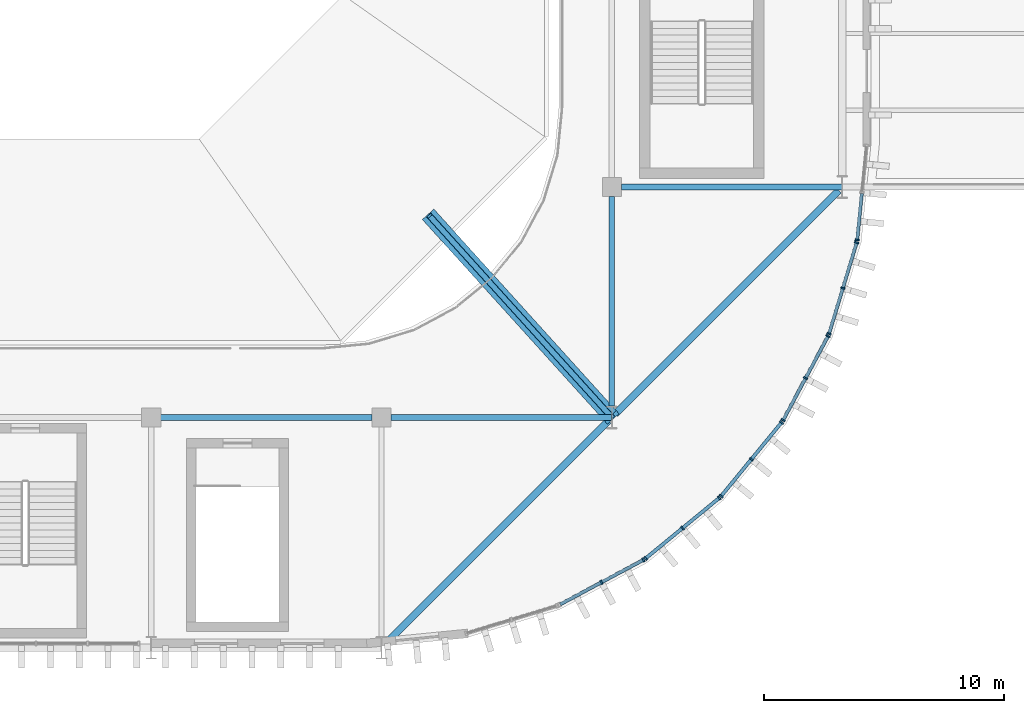
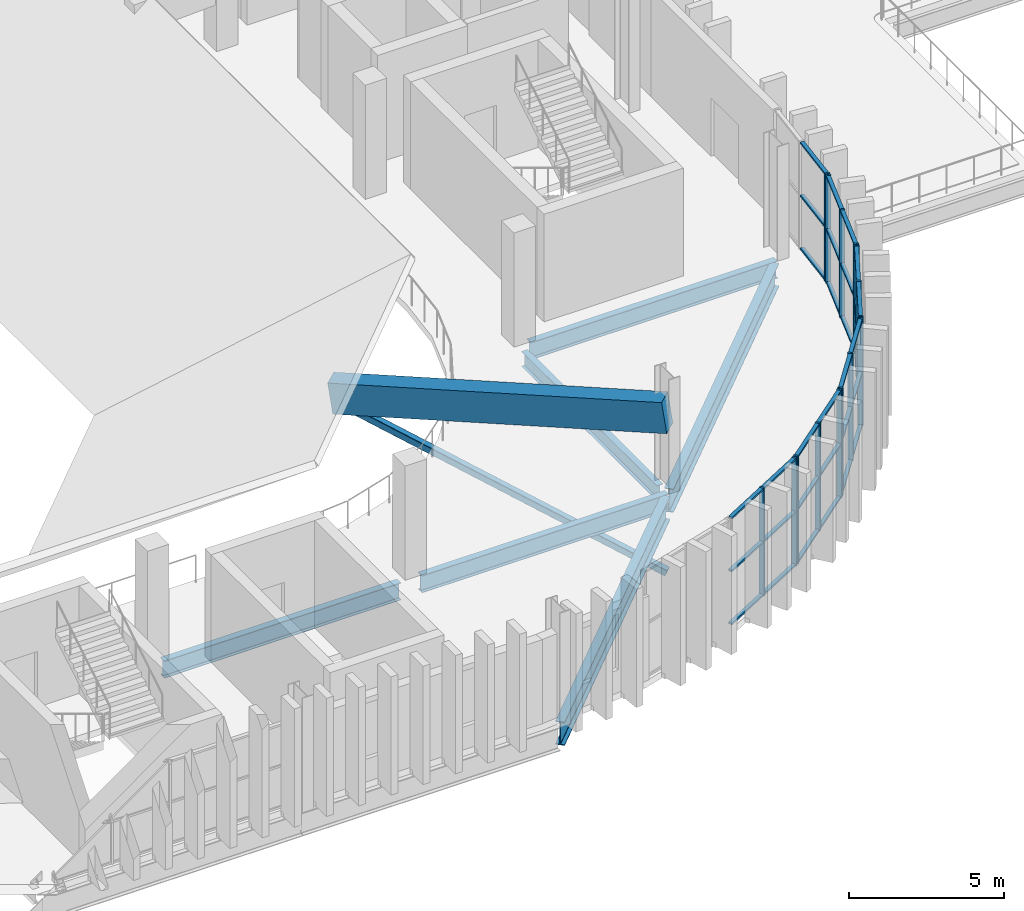
# One storey, part 20 of 69: 49 members, 7 beams, 6 elements without a shape of their own.
"""IFC4 building model written with IfcOpenShell, lengths in metres."""

from ifc_helpers import new_model, si_unit, direction, frame, origin, origin_2d, place, context, subcontext, project, spatial, rectangle, hollow_rectangle, i_section, extrude, material, layer, layer_set, material_profile, profile_set, type_object, element, aggregate, save


model = new_model("IFC4")

# Units and contexts
model_context = context("Model", 3, precision=1e-05, world=origin(), true_north=direction((0.0, 1.0)))
body_context = subcontext(model_context, "Body", "Model", "MODEL_VIEW")
ifc_project = project(units=[si_unit("LENGTHUNIT", "METRE"), si_unit("AREAUNIT", "SQUARE_METRE"), si_unit("VOLUMEUNIT", "CUBIC_METRE"), si_unit("PLANEANGLEUNIT", "RADIAN"), si_unit("MASSUNIT", "GRAM", prefix="KILO")], contexts=[model_context])

# Site, building, storey
site_placement = place(None, origin())
site = spatial("IfcSite", under=ifc_project, at=site_placement, CompositionType="ELEMENT")
building_placement = place(site_placement, origin())
building = spatial("IfcBuilding", under=site, at=building_placement, Name="Caelomonte Colonnade Arena", CompositionType="ELEMENT")
storey_placement = place(building_placement, frame((0.0, 0.0, 18.60009765625)))
storey = spatial("IfcBuildingStorey", under=building, at=storey_placement, Name="L04", CompositionType="ELEMENT", Elevation=18.60009765625)

# Curtain wall, members
ifc_material_1 = material(Name="Bronze anodised aluminium and low-E glazing", Category="aluminium")
ifc_layer = layer(ifc_material_1, 0.179931640625)
ifc_layer_set = layer_set([ifc_layer], Name="Bronze anodised aluminium and low-E glazing")
curtain_wall_type = type_object("IfcCurtainWallType", Name="ENV-CW-CW-L04-44-42", PredefinedType="USERDEFINED", material=ifc_layer_set)
curtain_wall_1_placement = place(storey_placement, origin())
curtain_wall_1 = element("IfcCurtainWall", 1, at=curtain_wall_1_placement, inside=storey, type_object=curtain_wall_type, Name="L04 unitized curtain wall CW-L04-1532-0219", ObjectType="UNITIZED CURTAIN WALL", PredefinedType="USERDEFINED")
ifc_material_2 = material(Name="Bronze anodised aluminium AA6063-T6", Category="aluminium")
ifc_material_profile_1 = material_profile(ifc_material_2, rectangle(XDim=0.070068359375, YDim=0.179931640625, at=origin_2d()), Name="CWM-70X180")
ifc_profile_set_1 = profile_set([ifc_material_profile_1], Name="Bronze anodised aluminium AA6063-T6")
member_type_1 = type_object("IfcMemberType", Name="ENV-CW-MULL1", PredefinedType="MULLION", material=ifc_profile_set_1)
member_1_placement = place(storey_placement, frame((153.166748046875, 21.927490234375, 0.0), z_axis=(0.0, 0.0, 1.0), x_axis=(0.881922613642, 0.471394212466, 0.0)))
member_1 = element("IfcMember", 2, at=member_1_placement, type_object=member_type_1, Name="CW-L04-44-42 mullion 2", PredefinedType="MULLION", context=body_context, shape_type="SweptSolid", body=[
    extrude(rectangle(XDim=0.070068359375, YDim=0.179931640625, at=origin_2d()), origin(), (0.0, 0.0, 1.0), 4.239990234375),
])
member_2_placement = place(storey_placement, frame((154.916015625, 22.862548828125, 0.0), z_axis=(0.0, 0.0, 1.0), x_axis=(0.881922613642, 0.471394212466, 0.0)))
member_2 = element("IfcMember", 3, at=member_2_placement, type_object=member_type_1, Name="CW-L04-44-42 mullion 3", PredefinedType="MULLION", context=body_context, shape_type="SweptSolid", body=[
    extrude(rectangle(XDim=0.070068359375, YDim=0.179931640625, at=origin_2d()), origin(), (0.0, 0.0, 1.0), 4.239990234375),
])

curtain_wall_2_placement = place(storey_placement, origin())
curtain_wall_2 = element("IfcCurtainWall", 4, at=curtain_wall_2_placement, inside=storey, type_object=curtain_wall_type, Name="L04 unitized curtain wall CW-L04-1565-0242", ObjectType="UNITIZED CURTAIN WALL", PredefinedType="USERDEFINED")
member_3_placement = place(storey_placement, frame((155.0107421875, 22.92578125, 0.0), z_axis=(0.0, 0.0, 1.0), x_axis=(0.772991751994, 0.634416071163, 0.0)))
member_3 = element("IfcMember", 5, at=member_3_placement, type_object=member_type_1, Name="CW-L04-44-42 mullion 1", PredefinedType="MULLION", context=body_context, shape_type="SweptSolid", body=[
    extrude(rectangle(XDim=0.070068359375, YDim=0.179931640625, at=origin_2d()), origin(), (0.0, 0.0, 1.0), 4.239990234375),
])
member_4_placement = place(storey_placement, frame((156.5439453125, 24.18408203125, 0.0), z_axis=(0.0, 0.0, 1.0), x_axis=(0.772991751994, 0.634416071163, 0.0)))
member_4 = element("IfcMember", 6, at=member_4_placement, type_object=member_type_1, Name="CW-L04-44-42 mullion 2", PredefinedType="MULLION", context=body_context, shape_type="SweptSolid", body=[
    extrude(rectangle(XDim=0.070068359375, YDim=0.179931640625, at=origin_2d()), origin(), (0.0, 0.0, 1.0), 4.239990234375),
])
member_5_placement = place(storey_placement, frame((158.0771484375, 25.4423828125, 0.0), z_axis=(0.0, 0.0, 1.0), x_axis=(0.772991751994, 0.634416071163, 0.0)))
member_5 = element("IfcMember", 7, at=member_5_placement, type_object=member_type_1, Name="CW-L04-44-42 mullion 3", PredefinedType="MULLION", context=body_context, shape_type="SweptSolid", body=[
    extrude(rectangle(XDim=0.070068359375, YDim=0.179931640625, at=origin_2d()), origin(), (0.0, 0.0, 1.0), 4.239990234375),
])

curtain_wall_3_placement = place(storey_placement, origin())
curtain_wall_3 = element("IfcCurtainWall", 8, at=curtain_wall_3_placement, inside=storey, type_object=curtain_wall_type, Name="L04 unitized curtain wall CW-L04-1594-0271", ObjectType="UNITIZED CURTAIN WALL", PredefinedType="USERDEFINED")
member_6_placement = place(storey_placement, frame((158.15771484375, 25.52294921875, 0.0), z_axis=(0.0, 0.0, 1.0), x_axis=(0.634416071163, 0.772991751994, 0.0)))
member_6 = element("IfcMember", 9, at=member_6_placement, type_object=member_type_1, Name="CW-L04-44-42 mullion 1", PredefinedType="MULLION", context=body_context, shape_type="SweptSolid", body=[
    extrude(rectangle(XDim=0.070068359375, YDim=0.179931640625, at=origin_2d()), origin(), (0.0, 0.0, 1.0), 4.239990234375),
])
member_7_placement = place(storey_placement, frame((159.416015625, 27.05615234375, 0.0), z_axis=(0.0, 0.0, 1.0), x_axis=(0.634416071163, 0.772991751994, 0.0)))
member_7 = element("IfcMember", 10, at=member_7_placement, type_object=member_type_1, Name="CW-L04-44-42 mullion 2", PredefinedType="MULLION", context=body_context, shape_type="SweptSolid", body=[
    extrude(rectangle(XDim=0.070068359375, YDim=0.179931640625, at=origin_2d()), origin(), (0.0, 0.0, 1.0), 4.239990234375),
])
member_8_placement = place(storey_placement, frame((160.67431640625, 28.58935546875, 0.0), z_axis=(0.0, 0.0, 1.0), x_axis=(0.634416071163, 0.772991751994, 0.0)))
member_8 = element("IfcMember", 11, at=member_8_placement, type_object=member_type_1, Name="CW-L04-44-42 mullion 3", PredefinedType="MULLION", context=body_context, shape_type="SweptSolid", body=[
    extrude(rectangle(XDim=0.070068359375, YDim=0.179931640625, at=origin_2d()), origin(), (0.0, 0.0, 1.0), 4.239990234375),
])

curtain_wall_4_placement = place(storey_placement, origin())
curtain_wall_4 = element("IfcCurtainWall", 12, at=curtain_wall_4_placement, inside=storey, type_object=curtain_wall_type, Name="L04 unitized curtain wall CW-L04-1617-0304", ObjectType="UNITIZED CURTAIN WALL", PredefinedType="USERDEFINED")
member_9_placement = place(storey_placement, frame((160.737548828125, 28.68408203125, 0.0), z_axis=(0.0, 0.0, 1.0), x_axis=(0.471394212466, 0.881922613642, 0.0)))
member_9 = element("IfcMember", 13, at=member_9_placement, type_object=member_type_1, Name="CW-L04-44-42 mullion 1", PredefinedType="MULLION", context=body_context, shape_type="SweptSolid", body=[
    extrude(rectangle(XDim=0.070068359375, YDim=0.179931640625, at=origin_2d()), origin(), (0.0, 0.0, 1.0), 4.239990234375),
])
member_10_placement = place(storey_placement, frame((161.67236328125, 30.43310546875, 0.0), z_axis=(0.0, 0.0, 1.0), x_axis=(0.471394212466, 0.881922613642, 0.0)))
member_10 = element("IfcMember", 14, at=member_10_placement, type_object=member_type_1, Name="CW-L04-44-42 mullion 2", PredefinedType="MULLION", context=body_context, shape_type="SweptSolid", body=[
    extrude(rectangle(XDim=0.070068359375, YDim=0.179931640625, at=origin_2d()), origin(), (0.0, 0.0, 1.0), 4.239990234375),
])
member_11_placement = place(storey_placement, frame((162.607421875, 32.182373046875, 0.0), z_axis=(0.0, 0.0, 1.0), x_axis=(0.471394212466, 0.881922613642, 0.0)))
member_11 = element("IfcMember", 15, at=member_11_placement, type_object=member_type_1, Name="CW-L04-44-42 mullion 3", PredefinedType="MULLION", context=body_context, shape_type="SweptSolid", body=[
    extrude(rectangle(XDim=0.070068359375, YDim=0.179931640625, at=origin_2d()), origin(), (0.0, 0.0, 1.0), 4.239990234375),
])

curtain_wall_5_placement = place(storey_placement, origin())
curtain_wall_5 = element("IfcCurtainWall", 16, at=curtain_wall_5_placement, inside=storey, type_object=curtain_wall_type, Name="L04 unitized curtain wall CW-L04-1632-0342", ObjectType="UNITIZED CURTAIN WALL", PredefinedType="USERDEFINED")
member_12_placement = place(storey_placement, frame((162.651123046875, 32.28759765625, 0.0), z_axis=(0.0, 0.0, 1.0), x_axis=(0.290255582655, 0.956949160999, 0.0)))
member_12 = element("IfcMember", 17, at=member_12_placement, type_object=member_type_1, Name="CW-L04-44-42 mullion 1", PredefinedType="MULLION", context=body_context, shape_type="SweptSolid", body=[
    extrude(rectangle(XDim=0.070068359375, YDim=0.179931640625, at=origin_2d()), origin(), (0.0, 0.0, 1.0), 4.239990234375),
])
member_13_placement = place(storey_placement, frame((163.226806640625, 34.185546875, 0.0), z_axis=(0.0, 0.0, 1.0), x_axis=(0.290255582655, 0.956949160999, 0.0)))
member_13 = element("IfcMember", 18, at=member_13_placement, type_object=member_type_1, Name="CW-L04-44-42 mullion 2", PredefinedType="MULLION", context=body_context, shape_type="SweptSolid", body=[
    extrude(rectangle(XDim=0.070068359375, YDim=0.179931640625, at=origin_2d()), origin(), (0.0, 0.0, 1.0), 4.239990234375),
])
member_14_placement = place(storey_placement, frame((163.802490234375, 36.08349609375, 0.0), z_axis=(0.0, 0.0, 1.0), x_axis=(0.290255582655, 0.956949160999, 0.0)))
member_14 = element("IfcMember", 19, at=member_14_placement, type_object=member_type_1, Name="CW-L04-44-42 mullion 3", PredefinedType="MULLION", context=body_context, shape_type="SweptSolid", body=[
    extrude(rectangle(XDim=0.070068359375, YDim=0.179931640625, at=origin_2d()), origin(), (0.0, 0.0, 1.0), 4.239990234375),
])

# Curtain wall, member
curtain_wall_6_placement = place(storey_placement, origin())
curtain_wall_6 = element("IfcCurtainWall", 20, at=curtain_wall_6_placement, inside=storey, type_object=curtain_wall_type, Name="L04 unitized curtain wall CW-L04-1640-0382", ObjectType="UNITIZED CURTAIN WALL", PredefinedType="USERDEFINED")
member_15_placement = place(storey_placement, frame((163.82470703125, 36.1953125, 0.0), z_axis=(0.0, 0.0, 1.0), x_axis=(0.098002498041, 0.995186168703, 0.0)))
member_15 = element("IfcMember", 21, at=member_15_placement, type_object=member_type_1, Name="CW-L04-44-42 mullion 1", PredefinedType="MULLION", context=body_context, shape_type="SweptSolid", body=[
    extrude(rectangle(XDim=0.070068359375, YDim=0.179931640625, at=origin_2d()), origin(), (0.0, 0.0, 1.0), 4.239990234375),
])

# Member
ifc_material_profile_2 = material_profile(ifc_material_2, rectangle(XDim=0.070068359375, YDim=0.139892578125, at=origin_2d()), Name="CWT-70X140")
ifc_profile_set_2 = profile_set([ifc_material_profile_2], Name="Bronze anodised aluminium AA6063-T6")
member_type_2 = type_object("IfcMemberType", Name="ENV-CW-TRAN1", PredefinedType="USERDEFINED", material=ifc_profile_set_2)
member_16_placement = place(storey_placement, frame((151.448486328125, 21.009033203125, 0.034912109375), z_axis=(0.881896914799, 0.471442288799, 0.0), x_axis=(0.0, 0.0, 1.0)))
member_16 = element("IfcMember", 22, at=member_16_placement, type_object=member_type_2, Name="CW-L04-44-42 transom 1.1", ObjectType="TRANSOM", PredefinedType="USERDEFINED", context=body_context, shape_type="SweptSolid", body=[
    extrude(rectangle(XDim=0.070068359375, YDim=0.139892578125, at=origin_2d()), origin(), (0.0, 0.0, 1.0), 1.91357421875),
])

member_17_placement = place(storey_placement, frame((151.448486328125, 21.009033203125, 2.119873046875), z_axis=(0.881896914799, 0.471442288799, 0.0), x_axis=(0.0, 0.0, 1.0)))
member_17 = element("IfcMember", 23, at=member_17_placement, type_object=member_type_2, Name="CW-L04-44-42 transom 1.2", ObjectType="TRANSOM", PredefinedType="USERDEFINED", context=body_context, shape_type="SweptSolid", body=[
    extrude(rectangle(XDim=0.070068359375, YDim=0.139892578125, at=origin_2d()), origin(), (0.0, 0.0, 1.0), 1.91357421875),
])

member_18_placement = place(storey_placement, frame((151.448486328125, 21.009033203125, 4.204833984375), z_axis=(0.881896914799, 0.471442288799, 0.0), x_axis=(0.0, 0.0, 1.0)))
member_18 = element("IfcMember", 24, at=member_18_placement, type_object=member_type_2, Name="CW-L04-44-42 transom 1.3", ObjectType="TRANSOM", PredefinedType="USERDEFINED", context=body_context, shape_type="SweptSolid", body=[
    extrude(rectangle(XDim=0.070068359375, YDim=0.139892578125, at=origin_2d()), origin(), (0.0, 0.0, 1.0), 1.91357421875),
])

member_19_placement = place(storey_placement, frame((153.19775390625, 21.944091796875, 0.034912109375), z_axis=(0.88194995936, 0.471343048304, 0.0), x_axis=(0.0, 0.0, 1.0)))
member_19 = element("IfcMember", 25, at=member_19_placement, type_object=member_type_2, Name="CW-L04-44-42 transom 2.1", ObjectType="TRANSOM", PredefinedType="USERDEFINED", context=body_context, shape_type="SweptSolid", body=[
    extrude(rectangle(XDim=0.070068359375, YDim=0.139892578125, at=origin_2d()), origin(), (0.0, 0.0, 1.0), 1.913330078125),
])

member_20_placement = place(storey_placement, frame((153.19775390625, 21.944091796875, 2.119873046875), z_axis=(0.88194995936, 0.471343048304, 0.0), x_axis=(0.0, 0.0, 1.0)))
member_20 = element("IfcMember", 26, at=member_20_placement, type_object=member_type_2, Name="CW-L04-44-42 transom 2.2", ObjectType="TRANSOM", PredefinedType="USERDEFINED", context=body_context, shape_type="SweptSolid", body=[
    extrude(rectangle(XDim=0.070068359375, YDim=0.139892578125, at=origin_2d()), origin(), (0.0, 0.0, 1.0), 1.913330078125),
])

member_21_placement = place(storey_placement, frame((153.19775390625, 21.944091796875, 4.204833984375), z_axis=(0.88194995936, 0.471343048304, 0.0), x_axis=(0.0, 0.0, 1.0)))
member_21 = element("IfcMember", 27, at=member_21_placement, type_object=member_type_2, Name="CW-L04-44-42 transom 2.3", ObjectType="TRANSOM", PredefinedType="USERDEFINED", context=body_context, shape_type="SweptSolid", body=[
    extrude(rectangle(XDim=0.070068359375, YDim=0.139892578125, at=origin_2d()), origin(), (0.0, 0.0, 1.0), 1.913330078125),
])

aggregate(curtain_wall_1, [member_1, member_2, member_16, member_17, member_18, member_19, member_20, member_21])

member_22_placement = place(storey_placement, frame((155.037841796875, 22.947998046875, 0.034912109375), z_axis=(0.772989936128, 0.634418283662, 0.0), x_axis=(0.0, 0.0, 1.0)))
member_22 = element("IfcMember", 28, at=member_22_placement, type_object=member_type_2, Name="CW-L04-44-42 transom 1.1", ObjectType="TRANSOM", PredefinedType="USERDEFINED", context=body_context, shape_type="SweptSolid", body=[
    extrude(rectangle(XDim=0.070068359375, YDim=0.139892578125, at=origin_2d()), origin(), (0.0, 0.0, 1.0), 1.913330078125),
])

member_23_placement = place(storey_placement, frame((155.037841796875, 22.947998046875, 2.119873046875), z_axis=(0.772989936128, 0.634418283662, 0.0), x_axis=(0.0, 0.0, 1.0)))
member_23 = element("IfcMember", 29, at=member_23_placement, type_object=member_type_2, Name="CW-L04-44-42 transom 1.2", ObjectType="TRANSOM", PredefinedType="USERDEFINED", context=body_context, shape_type="SweptSolid", body=[
    extrude(rectangle(XDim=0.070068359375, YDim=0.139892578125, at=origin_2d()), origin(), (0.0, 0.0, 1.0), 1.913330078125),
])

member_24_placement = place(storey_placement, frame((155.037841796875, 22.947998046875, 4.204833984375), z_axis=(0.772989936128, 0.634418283662, 0.0), x_axis=(0.0, 0.0, 1.0)))
member_24 = element("IfcMember", 30, at=member_24_placement, type_object=member_type_2, Name="CW-L04-44-42 transom 1.3", ObjectType="TRANSOM", PredefinedType="USERDEFINED", context=body_context, shape_type="SweptSolid", body=[
    extrude(rectangle(XDim=0.070068359375, YDim=0.139892578125, at=origin_2d()), origin(), (0.0, 0.0, 1.0), 1.913330078125),
])

member_25_placement = place(storey_placement, frame((156.571044921875, 24.206298828125, 0.034912109375), z_axis=(0.772989936128, 0.634418283662, 0.0), x_axis=(0.0, 0.0, 1.0)))
member_25 = element("IfcMember", 31, at=member_25_placement, type_object=member_type_2, Name="CW-L04-44-42 transom 2.1", ObjectType="TRANSOM", PredefinedType="USERDEFINED", context=body_context, shape_type="SweptSolid", body=[
    extrude(rectangle(XDim=0.070068359375, YDim=0.139892578125, at=origin_2d()), origin(), (0.0, 0.0, 1.0), 1.913330078125),
])

member_26_placement = place(storey_placement, frame((156.571044921875, 24.206298828125, 2.119873046875), z_axis=(0.772989936128, 0.634418283662, 0.0), x_axis=(0.0, 0.0, 1.0)))
member_26 = element("IfcMember", 32, at=member_26_placement, type_object=member_type_2, Name="CW-L04-44-42 transom 2.2", ObjectType="TRANSOM", PredefinedType="USERDEFINED", context=body_context, shape_type="SweptSolid", body=[
    extrude(rectangle(XDim=0.070068359375, YDim=0.139892578125, at=origin_2d()), origin(), (0.0, 0.0, 1.0), 1.913330078125),
])

member_27_placement = place(storey_placement, frame((156.571044921875, 24.206298828125, 4.204833984375), z_axis=(0.772989936128, 0.634418283662, 0.0), x_axis=(0.0, 0.0, 1.0)))
member_27 = element("IfcMember", 33, at=member_27_placement, type_object=member_type_2, Name="CW-L04-44-42 transom 2.3", ObjectType="TRANSOM", PredefinedType="USERDEFINED", context=body_context, shape_type="SweptSolid", body=[
    extrude(rectangle(XDim=0.070068359375, YDim=0.139892578125, at=origin_2d()), origin(), (0.0, 0.0, 1.0), 1.913330078125),
])

aggregate(curtain_wall_2, [member_3, member_4, member_5, member_22, member_23, member_24, member_25, member_26, member_27])

member_28_placement = place(storey_placement, frame((158.1796875, 25.550048828125, 0.034912109375), z_axis=(0.634494516049, 0.772927363407, 0.0), x_axis=(0.0, 0.0, 1.0)))
member_28 = element("IfcMember", 34, at=member_28_placement, type_object=member_type_2, Name="CW-L04-44-42 transom 1.1", ObjectType="TRANSOM", PredefinedType="USERDEFINED", context=body_context, shape_type="SweptSolid", body=[
    extrude(rectangle(XDim=0.070068359375, YDim=0.139892578125, at=origin_2d()), origin(), (0.0, 0.0, 1.0), 1.91357421875),
])

member_29_placement = place(storey_placement, frame((158.1796875, 25.550048828125, 2.119873046875), z_axis=(0.634494516049, 0.772927363407, 0.0), x_axis=(0.0, 0.0, 1.0)))
member_29 = element("IfcMember", 35, at=member_29_placement, type_object=member_type_2, Name="CW-L04-44-42 transom 1.2", ObjectType="TRANSOM", PredefinedType="USERDEFINED", context=body_context, shape_type="SweptSolid", body=[
    extrude(rectangle(XDim=0.070068359375, YDim=0.139892578125, at=origin_2d()), origin(), (0.0, 0.0, 1.0), 1.91357421875),
])

member_30_placement = place(storey_placement, frame((158.1796875, 25.550048828125, 4.204833984375), z_axis=(0.634494516049, 0.772927363407, 0.0), x_axis=(0.0, 0.0, 1.0)))
member_30 = element("IfcMember", 36, at=member_30_placement, type_object=member_type_2, Name="CW-L04-44-42 transom 1.3", ObjectType="TRANSOM", PredefinedType="USERDEFINED", context=body_context, shape_type="SweptSolid", body=[
    extrude(rectangle(XDim=0.070068359375, YDim=0.139892578125, at=origin_2d()), origin(), (0.0, 0.0, 1.0), 1.91357421875),
])

member_31_placement = place(storey_placement, frame((159.43798828125, 27.083251953125, 0.034912109375), z_axis=(0.634494516049, 0.772927363407, 0.0), x_axis=(0.0, 0.0, 1.0)))
member_31 = element("IfcMember", 37, at=member_31_placement, type_object=member_type_2, Name="CW-L04-44-42 transom 2.1", ObjectType="TRANSOM", PredefinedType="USERDEFINED", context=body_context, shape_type="SweptSolid", body=[
    extrude(rectangle(XDim=0.070068359375, YDim=0.139892578125, at=origin_2d()), origin(), (0.0, 0.0, 1.0), 1.91357421875),
])

member_32_placement = place(storey_placement, frame((159.43798828125, 27.083251953125, 2.119873046875), z_axis=(0.634494516049, 0.772927363407, 0.0), x_axis=(0.0, 0.0, 1.0)))
member_32 = element("IfcMember", 38, at=member_32_placement, type_object=member_type_2, Name="CW-L04-44-42 transom 2.2", ObjectType="TRANSOM", PredefinedType="USERDEFINED", context=body_context, shape_type="SweptSolid", body=[
    extrude(rectangle(XDim=0.070068359375, YDim=0.139892578125, at=origin_2d()), origin(), (0.0, 0.0, 1.0), 1.91357421875),
])

member_33_placement = place(storey_placement, frame((159.43798828125, 27.083251953125, 4.204833984375), z_axis=(0.634494516049, 0.772927363407, 0.0), x_axis=(0.0, 0.0, 1.0)))
member_33 = element("IfcMember", 39, at=member_33_placement, type_object=member_type_2, Name="CW-L04-44-42 transom 2.3", ObjectType="TRANSOM", PredefinedType="USERDEFINED", context=body_context, shape_type="SweptSolid", body=[
    extrude(rectangle(XDim=0.070068359375, YDim=0.139892578125, at=origin_2d()), origin(), (0.0, 0.0, 1.0), 1.91357421875),
])

aggregate(curtain_wall_3, [member_6, member_7, member_8, member_28, member_29, member_30, member_31, member_32, member_33])

member_34_placement = place(storey_placement, frame((160.75390625, 28.71484375, 0.034912109375), z_axis=(0.471442288799, 0.881896914799, 0.0), x_axis=(0.0, 0.0, 1.0)))
member_34 = element("IfcMember", 40, at=member_34_placement, type_object=member_type_2, Name="CW-L04-44-42 transom 1.1", ObjectType="TRANSOM", PredefinedType="USERDEFINED", context=body_context, shape_type="SweptSolid", body=[
    extrude(rectangle(XDim=0.070068359375, YDim=0.139892578125, at=origin_2d()), origin(), (0.0, 0.0, 1.0), 1.91357421875),
])

member_35_placement = place(storey_placement, frame((160.75390625, 28.71484375, 2.119873046875), z_axis=(0.471442288799, 0.881896914799, 0.0), x_axis=(0.0, 0.0, 1.0)))
member_35 = element("IfcMember", 41, at=member_35_placement, type_object=member_type_2, Name="CW-L04-44-42 transom 1.2", ObjectType="TRANSOM", PredefinedType="USERDEFINED", context=body_context, shape_type="SweptSolid", body=[
    extrude(rectangle(XDim=0.070068359375, YDim=0.139892578125, at=origin_2d()), origin(), (0.0, 0.0, 1.0), 1.91357421875),
])

member_36_placement = place(storey_placement, frame((160.75390625, 28.71484375, 4.204833984375), z_axis=(0.471442288799, 0.881896914799, 0.0), x_axis=(0.0, 0.0, 1.0)))
member_36 = element("IfcMember", 42, at=member_36_placement, type_object=member_type_2, Name="CW-L04-44-42 transom 1.3", ObjectType="TRANSOM", PredefinedType="USERDEFINED", context=body_context, shape_type="SweptSolid", body=[
    extrude(rectangle(XDim=0.070068359375, YDim=0.139892578125, at=origin_2d()), origin(), (0.0, 0.0, 1.0), 1.91357421875),
])

member_37_placement = place(storey_placement, frame((161.68896484375, 30.464111328125, 0.034912109375), z_axis=(0.471396095589, 0.881921607096, 0.0), x_axis=(0.0, 0.0, 1.0)))
member_37 = element("IfcMember", 43, at=member_37_placement, type_object=member_type_2, Name="CW-L04-44-42 transom 2.1", ObjectType="TRANSOM", PredefinedType="USERDEFINED", context=body_context, shape_type="SweptSolid", body=[
    extrude(rectangle(XDim=0.070068359375, YDim=0.139892578125, at=origin_2d()), origin(), (0.0, 0.0, 1.0), 1.9130859375),
])

member_38_placement = place(storey_placement, frame((161.68896484375, 30.464111328125, 2.119873046875), z_axis=(0.471396095589, 0.881921607096, 0.0), x_axis=(0.0, 0.0, 1.0)))
member_38 = element("IfcMember", 44, at=member_38_placement, type_object=member_type_2, Name="CW-L04-44-42 transom 2.2", ObjectType="TRANSOM", PredefinedType="USERDEFINED", context=body_context, shape_type="SweptSolid", body=[
    extrude(rectangle(XDim=0.070068359375, YDim=0.139892578125, at=origin_2d()), origin(), (0.0, 0.0, 1.0), 1.9130859375),
])

member_39_placement = place(storey_placement, frame((161.68896484375, 30.464111328125, 4.204833984375), z_axis=(0.471396095589, 0.881921607096, 0.0), x_axis=(0.0, 0.0, 1.0)))
member_39 = element("IfcMember", 45, at=member_39_placement, type_object=member_type_2, Name="CW-L04-44-42 transom 2.3", ObjectType="TRANSOM", PredefinedType="USERDEFINED", context=body_context, shape_type="SweptSolid", body=[
    extrude(rectangle(XDim=0.070068359375, YDim=0.139892578125, at=origin_2d()), origin(), (0.0, 0.0, 1.0), 1.9130859375),
])

aggregate(curtain_wall_4, [member_9, member_10, member_11, member_34, member_35, member_36, member_37, member_38, member_39])

member_40_placement = place(storey_placement, frame((162.6611328125, 32.321044921875, 0.034912109375), z_axis=(0.290272978297, 0.956943884494, 0.0), x_axis=(0.0, 0.0, 1.0)))
member_40 = element("IfcMember", 46, at=member_40_placement, type_object=member_type_2, Name="CW-L04-44-42 transom 1.1", ObjectType="TRANSOM", PredefinedType="USERDEFINED", context=body_context, shape_type="SweptSolid", body=[
    extrude(rectangle(XDim=0.070068359375, YDim=0.139892578125, at=origin_2d()), origin(), (0.0, 0.0, 1.0), 1.913330078125),
])

member_41_placement = place(storey_placement, frame((162.6611328125, 32.321044921875, 2.119873046875), z_axis=(0.290272978297, 0.956943884494, 0.0), x_axis=(0.0, 0.0, 1.0)))
member_41 = element("IfcMember", 47, at=member_41_placement, type_object=member_type_2, Name="CW-L04-44-42 transom 1.2", ObjectType="TRANSOM", PredefinedType="USERDEFINED", context=body_context, shape_type="SweptSolid", body=[
    extrude(rectangle(XDim=0.070068359375, YDim=0.139892578125, at=origin_2d()), origin(), (0.0, 0.0, 1.0), 1.913330078125),
])

member_42_placement = place(storey_placement, frame((162.6611328125, 32.321044921875, 4.204833984375), z_axis=(0.290272978297, 0.956943884494, 0.0), x_axis=(0.0, 0.0, 1.0)))
member_42 = element("IfcMember", 48, at=member_42_placement, type_object=member_type_2, Name="CW-L04-44-42 transom 1.3", ObjectType="TRANSOM", PredefinedType="USERDEFINED", context=body_context, shape_type="SweptSolid", body=[
    extrude(rectangle(XDim=0.070068359375, YDim=0.139892578125, at=origin_2d()), origin(), (0.0, 0.0, 1.0), 1.913330078125),
])

member_43_placement = place(storey_placement, frame((163.23681640625, 34.218994140625, 0.034912109375), z_axis=(0.290272978297, 0.956943884494, 0.0), x_axis=(0.0, 0.0, 1.0)))
member_43 = element("IfcMember", 49, at=member_43_placement, type_object=member_type_2, Name="CW-L04-44-42 transom 2.1", ObjectType="TRANSOM", PredefinedType="USERDEFINED", context=body_context, shape_type="SweptSolid", body=[
    extrude(rectangle(XDim=0.070068359375, YDim=0.139892578125, at=origin_2d()), origin(), (0.0, 0.0, 1.0), 1.913330078125),
])

member_44_placement = place(storey_placement, frame((163.23681640625, 34.218994140625, 2.119873046875), z_axis=(0.290272978297, 0.956943884494, 0.0), x_axis=(0.0, 0.0, 1.0)))
member_44 = element("IfcMember", 50, at=member_44_placement, type_object=member_type_2, Name="CW-L04-44-42 transom 2.2", ObjectType="TRANSOM", PredefinedType="USERDEFINED", context=body_context, shape_type="SweptSolid", body=[
    extrude(rectangle(XDim=0.070068359375, YDim=0.139892578125, at=origin_2d()), origin(), (0.0, 0.0, 1.0), 1.913330078125),
])

member_45_placement = place(storey_placement, frame((163.23681640625, 34.218994140625, 4.204833984375), z_axis=(0.290272978297, 0.956943884494, 0.0), x_axis=(0.0, 0.0, 1.0)))
member_45 = element("IfcMember", 51, at=member_45_placement, type_object=member_type_2, Name="CW-L04-44-42 transom 2.3", ObjectType="TRANSOM", PredefinedType="USERDEFINED", context=body_context, shape_type="SweptSolid", body=[
    extrude(rectangle(XDim=0.070068359375, YDim=0.139892578125, at=origin_2d()), origin(), (0.0, 0.0, 1.0), 1.913330078125),
])

aggregate(curtain_wall_5, [member_12, member_13, member_14, member_40, member_41, member_42, member_43, member_44, member_45])

member_46_placement = place(storey_placement, frame((163.828125, 36.230224609375, 0.034912109375), z_axis=(0.098000148132, 0.995186400111, 0.0), x_axis=(0.0, 0.0, 1.0)))
member_46 = element("IfcMember", 52, at=member_46_placement, type_object=member_type_2, Name="CW-L04-44-42 transom 1.1", ObjectType="TRANSOM", PredefinedType="USERDEFINED", context=body_context, shape_type="SweptSolid", body=[
    extrude(rectangle(XDim=0.070068359375, YDim=0.139892578125, at=origin_2d()), origin(), (0.0, 0.0, 1.0), 1.913330078125),
])

member_47_placement = place(storey_placement, frame((163.828125, 36.230224609375, 2.119873046875), z_axis=(0.098000148132, 0.995186400111, 0.0), x_axis=(0.0, 0.0, 1.0)))
member_47 = element("IfcMember", 53, at=member_47_placement, type_object=member_type_2, Name="CW-L04-44-42 transom 1.2", ObjectType="TRANSOM", PredefinedType="USERDEFINED", context=body_context, shape_type="SweptSolid", body=[
    extrude(rectangle(XDim=0.070068359375, YDim=0.139892578125, at=origin_2d()), origin(), (0.0, 0.0, 1.0), 1.913330078125),
])

member_48_placement = place(storey_placement, frame((163.828125, 36.230224609375, 4.204833984375), z_axis=(0.098000148132, 0.995186400111, 0.0), x_axis=(0.0, 0.0, 1.0)))
member_48 = element("IfcMember", 54, at=member_48_placement, type_object=member_type_2, Name="CW-L04-44-42 transom 1.3", ObjectType="TRANSOM", PredefinedType="USERDEFINED", context=body_context, shape_type="SweptSolid", body=[
    extrude(rectangle(XDim=0.070068359375, YDim=0.139892578125, at=origin_2d()), origin(), (0.0, 0.0, 1.0), 1.913330078125),
])

aggregate(curtain_wall_6, [member_15, member_46, member_47, member_48])

ifc_material_3 = material(Name="Steel ASTM A500 Grade C", Category="steel")
ifc_material_profile_3 = material_profile(ifc_material_3, hollow_rectangle(XDim=0.25390625, YDim=0.25390625, WallThickness=0.0126953125, InnerFilletRadius=0.0126953125, OuterFilletRadius=0.025390625, at=origin_2d()), Name="HSS254X254X12.7")
ifc_profile_set_3 = profile_set([ifc_material_profile_3], Name="Steel ASTM A500 Grade C")
member_type_3 = type_object("IfcMemberType", Name="STR-BF-DIAG1", PredefinedType="BRACE", material=ifc_profile_set_3)
member_49_placement = place(storey_placement, frame((153.60009765625, 28.800048828125, -3.400146484375), z_axis=(-0.625398255019, 0.691212732483, 0.362080075497), x_axis=(-0.741527609628, -0.670922353302, 0.0)))
element("IfcMember", 55, at=member_49_placement, inside=storey, type_object=member_type_3, Name="Upper bowl corner raker knee strut SE", PredefinedType="BRACE", context=body_context, shape_type="SweptSolid", body=[
    extrude(hollow_rectangle(XDim=0.25390625, YDim=0.25390625, WallThickness=0.0126953125, InnerFilletRadius=0.0126953125, OuterFilletRadius=0.025390625, at=origin_2d()), origin(), (0.0, 0.0, 1.0), 12.15234375),
])

# Beams
ifc_material_4 = material(Name="Wide-flange steel ASTM A992 Grade 50", Category="steel")
ifc_material_profile_4 = material_profile(ifc_material_4, i_section(OverallWidth=0.307861328125, OverallDepth=0.927001953125, WebThickness=0.019287109375, FlangeThickness=0.031982421875, FilletRadius=0.020263671875, at=origin_2d()), Name="W36X194")
ifc_profile_set_4 = profile_set([ifc_material_profile_4], Name="Wide-flange steel ASTM A992 Grade 50")
beam_type_1 = type_object("IfcBeamType", Name="STR-BM-EAVES2", PredefinedType="SPANDREL", material=ifc_profile_set_4)
for number, where, z_axis, x_axis, name in (
    (56, (144.14404296875, 19.343994140625, -0.7236328125), (0.707106781187, 0.707106781187, 0.0), (-0.707106781187, 0.707106781187, 0.0), "L04 drum corner ring girder 3"),
    (57, (153.743896484375, 28.944091796875, -0.7236328125), (0.707106781187, 0.707106781187, 0.0), (-0.707106781187, 0.707106781187, 0.0), "L04 drum corner ring girder 4"),
):
    element("IfcBeam", number, at=place(storey_placement, frame(where, z_axis=z_axis, x_axis=x_axis)), inside=storey, type_object=beam_type_1, Name=name, PredefinedType="SPANDREL", context=body_context, shape_type="SweptSolid", body=[
        extrude(i_section(OverallWidth=0.307861328125, OverallDepth=0.927001953125, WebThickness=0.019287109375, FlangeThickness=0.031982421875, FilletRadius=0.020263671875, at=origin_2d()), origin(), (0.0, 0.0, 1.0), 13.169189453125),
    ])
ifc_material_profile_5 = material_profile(ifc_material_4, i_section(OverallWidth=0.227783203125, OverallDepth=0.60205078125, WebThickness=0.010498046875, FlangeThickness=0.014892578125, FilletRadius=0.0126953125, at=origin_2d()), Name="W24X68")
ifc_profile_set_5 = profile_set([ifc_material_profile_5], Name="Wide-flange steel ASTM A992 Grade 50")
beam_type_2 = type_object("IfcBeamType", Name="STR-BM-GIRD24B", PredefinedType="SPANDREL", material=ifc_profile_set_5)
beam_1_placement = place(storey_placement, frame((153.60009765625, 29.265625, -0.56103515625), z_axis=(0.0, 1.0, 0.0), x_axis=(-1.0, 0.0, 0.0)))
element("IfcBeam", 58, at=beam_1_placement, inside=storey, type_object=beam_type_2, Name="L04 girder BMY-L04-1536-0288", PredefinedType="SPANDREL", context=body_context, shape_type="SweptSolid", body=[
    extrude(i_section(OverallWidth=0.227783203125, OverallDepth=0.60205078125, WebThickness=0.010498046875, FlangeThickness=0.014892578125, FilletRadius=0.0126953125, at=origin_2d()), origin(), (0.0, 0.0, 1.0), 8.742431640625),
])
ifc_material_profile_6 = material_profile(ifc_material_4, i_section(OverallWidth=0.253662109375, OverallDepth=0.683349609375, WebThickness=0.012451171875, FlangeThickness=0.018798828125, FilletRadius=0.01513671875, at=origin_2d()), Name="W27X94")
ifc_profile_set_6 = profile_set([ifc_material_profile_6], Name="Wide-flange steel ASTM A992 Grade 50")
beam_type_3 = type_object("IfcBeamType", Name="STR-BM-GIRD27", PredefinedType="BEAM", material=ifc_profile_set_6)
beam_2_placement = place(storey_placement, frame((134.7919921875, 28.800048828125, -0.601806640625), z_axis=(1.0, 0.0, 0.0), x_axis=(0.0, 1.0, 0.0)))
element("IfcBeam", 59, at=beam_2_placement, inside=storey, type_object=beam_type_3, Name="L04 girder BMX-L04-1344-0288", PredefinedType="BEAM", context=body_context, shape_type="SweptSolid", body=[
    extrude(i_section(OverallWidth=0.253662109375, OverallDepth=0.683349609375, WebThickness=0.012451171875, FlangeThickness=0.018798828125, FilletRadius=0.01513671875, at=origin_2d()), origin(), (0.0, 0.0, 1.0), 8.81591796875),
])
beam_3_placement = place(storey_placement, frame((144.39208984375, 28.800048828125, -0.601806640625), z_axis=(1.0, 0.0, 0.0), x_axis=(0.0, 1.0, 0.0)))
element("IfcBeam", 60, at=beam_3_placement, inside=storey, type_object=beam_type_3, Name="L04 girder BMX-L04-1440-0288", PredefinedType="BEAM", context=body_context, shape_type="SweptSolid", body=[
    extrude(i_section(OverallWidth=0.253662109375, OverallDepth=0.683349609375, WebThickness=0.012451171875, FlangeThickness=0.018798828125, FilletRadius=0.01513671875, at=origin_2d()), origin(), (0.0, 0.0, 1.0), 9.19580078125),
])
beam_4_placement = place(storey_placement, frame((153.991943359375, 38.39990234375, -0.601806640625), z_axis=(1.0, 0.0, 0.0), x_axis=(0.0, 1.0, 0.0)))
element("IfcBeam", 61, at=beam_4_placement, inside=storey, type_object=beam_type_3, Name="L04 girder BMX-L04-1536-0384", PredefinedType="BEAM", context=body_context, shape_type="SweptSolid", body=[
    extrude(i_section(OverallWidth=0.253662109375, OverallDepth=0.683349609375, WebThickness=0.012451171875, FlangeThickness=0.018798828125, FilletRadius=0.01513671875, at=origin_2d()), origin(), (0.0, 0.0, 1.0), 9.196044921875),
])
ifc_material_5 = material(Name="Concrete C50/60", Category="concrete")
ifc_material_profile_7 = material_profile(ifc_material_5, rectangle(XDim=0.64990234375, YDim=1.199951171875, at=origin_2d()), Name="RC650X1200")
ifc_profile_set_7 = profile_set([ifc_material_profile_7], Name="Concrete C50/60")
beam_type_4 = type_object("IfcBeamType", Name="STR-BM-RKU", PredefinedType="USERDEFINED", material=ifc_profile_set_7)
beam_5_placement = place(storey_placement, frame((153.60009765625, 28.800048828125, 2.85986328125), z_axis=(-0.66383322896, 0.73369245344, -0.144985612711), x_axis=(-0.741527609628, -0.670922353302, 0.0)))
element("IfcBeam", 62, at=beam_5_placement, inside=storey, type_object=beam_type_4, Name="Upper bowl corner raker girder SE", ObjectType="RAKER", PredefinedType="USERDEFINED", context=body_context, shape_type="SweptSolid", body=[
    extrude(rectangle(XDim=0.64990234375, YDim=1.199951171875, at=origin_2d()), origin(), (0.0, 0.0, 1.0), 11.44873046875),
])

save(model, "model.ifc")
